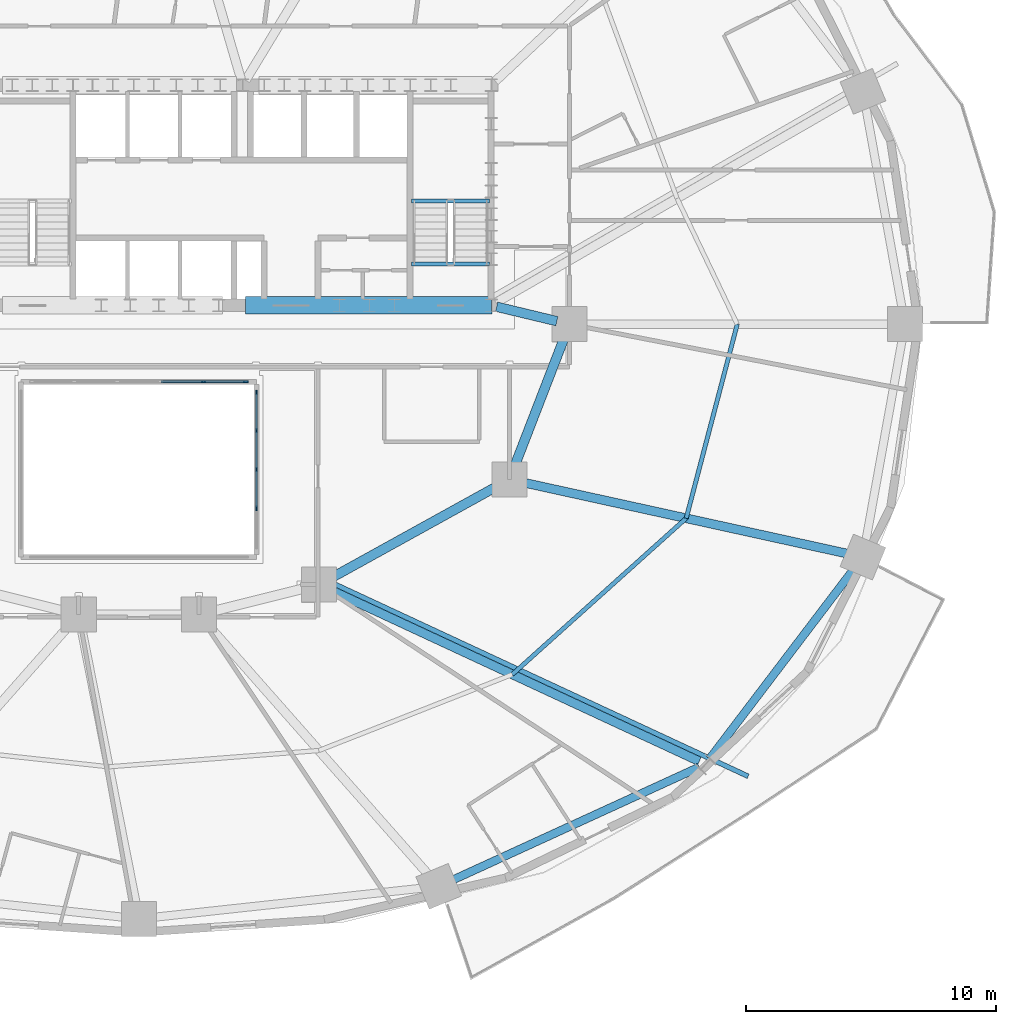
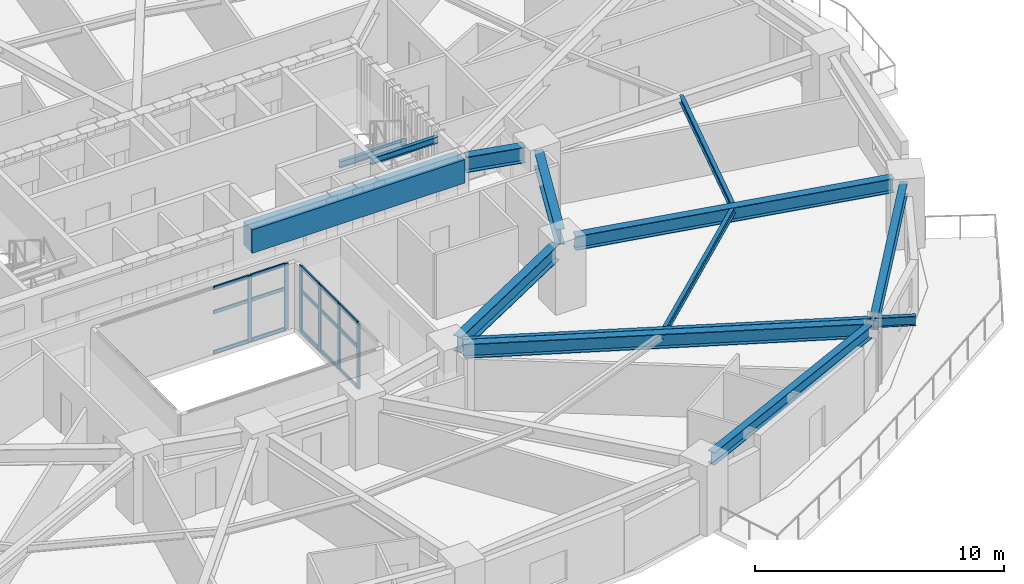
# One storey, part 6 of 17: 21 members, 13 beams, 2 elements without a shape of their own.
"""IFC4 building model written with IfcOpenShell, lengths in metres."""

from ifc_helpers import new_model, si_unit, direction, frame, origin, origin_2d, place, context, subcontext, project, spatial, rectangle, i_section, extrude, material, material_profile, profile_set, type_object, element, aggregate, save


model = new_model("IFC4")

# Units and contexts
model_context = context("Model", 3, precision=1e-05, world=origin(), true_north=direction((0.0, 1.0)))
body_context = subcontext(model_context, "Body", "Model", "MODEL_VIEW")
ifc_project = project(units=[si_unit("LENGTHUNIT", "METRE"), si_unit("AREAUNIT", "SQUARE_METRE"), si_unit("VOLUMEUNIT", "CUBIC_METRE"), si_unit("PLANEANGLEUNIT", "RADIAN"), si_unit("MASSUNIT", "GRAM", prefix="KILO")], contexts=[model_context])

# Site, building, storey
site_placement = place(None, origin())
site = spatial("IfcSite", under=ifc_project, at=site_placement, CompositionType="ELEMENT")
building_placement = place(site_placement, origin())
building = spatial("IfcBuilding", under=site, at=building_placement, Name="Haldorwick Loom Tower", CompositionType="ELEMENT")
storey_placement = place(building_placement, frame((0.0, 0.0, 58.5)))
storey = spatial("IfcBuildingStorey", under=building, at=storey_placement, Name="L15", CompositionType="ELEMENT", Elevation=58.5)

# Curtain wall, members
ifc_material_1 = material(Name="Thermally Broken Anodized Aluminium Curtain Wall Framing", Category="aluminium")
curtain_wall_type = type_object("IfcCurtainWallType", Name="ARC-CW-03", PredefinedType="NOTDEFINED", material=ifc_material_1)
curtain_wall_1_placement = place(storey_placement, origin())
curtain_wall_1 = element("IfcCurtainWall", 1, at=curtain_wall_1_placement, inside=storey, type_object=curtain_wall_type, Name="L15 Atrium Glazed Screen N", PredefinedType="NOTDEFINED")
ifc_material_profile_1 = material_profile(ifc_material_1, rectangle(XDim=0.06591796875, YDim=0.18505859375, at=origin_2d()), Name="ALU_MUL_66X185", Category="aluminium")
ifc_profile_set_1 = profile_set([ifc_material_profile_1], Name="Thermally Broken Anodized Aluminium Curtain Wall Framing")
member_type_1 = type_object("IfcMemberType", Name="ARC-CWM-03", PredefinedType="MULLION", material=ifc_profile_set_1)
member_1_placement = place(storey_placement, frame((38.580078125, 23.699951171875, 0.0), z_axis=(0.0, 0.0, 1.0), x_axis=(0.0, 1.0, 0.0)))
member_1 = element("IfcMember", 2, at=member_1_placement, type_object=member_type_1, Name="CW-03 mullion 5", PredefinedType="MULLION", context=body_context, shape_type="SweptSolid", body=[
    extrude(rectangle(XDim=0.06591796875, YDim=0.18505859375, at=origin_2d()), origin(), (0.0, 0.0, 1.0), 3.2099609375),
])
member_2_placement = place(storey_placement, frame((40.26708984375, 23.699951171875, 0.0), z_axis=(0.0, 0.0, 1.0), x_axis=(0.0, 1.0, 0.0)))
member_2 = element("IfcMember", 3, at=member_2_placement, type_object=member_type_1, Name="CW-03 mullion 6", PredefinedType="MULLION", context=body_context, shape_type="SweptSolid", body=[
    extrude(rectangle(XDim=0.06591796875, YDim=0.18505859375, at=origin_2d()), origin(), (0.0, 0.0, 1.0), 3.2099609375),
])

curtain_wall_2_placement = place(storey_placement, origin())
curtain_wall_2 = element("IfcCurtainWall", 4, at=curtain_wall_2_placement, inside=storey, type_object=curtain_wall_type, Name="L15 Atrium Glazed Screen E", PredefinedType="NOTDEFINED")
member_3_placement = place(storey_placement, frame((40.699951171875, 23.26708984375, 0.0), z_axis=(0.0, 0.0, 1.0), x_axis=(1.0, 0.0, 0.0)))
member_3 = element("IfcMember", 5, at=member_3_placement, type_object=member_type_1, Name="CW-03 mullion 1", PredefinedType="MULLION", context=body_context, shape_type="SweptSolid", body=[
    extrude(rectangle(XDim=0.06591796875, YDim=0.18505859375, at=origin_2d()), origin(), (0.0, 0.0, 1.0), 3.2099609375),
])
member_4_placement = place(storey_placement, frame((40.699951171875, 21.75, 0.0), z_axis=(0.0, 0.0, 1.0), x_axis=(1.0, 0.0, 0.0)))
member_4 = element("IfcMember", 6, at=member_4_placement, type_object=member_type_1, Name="CW-03 mullion 2", PredefinedType="MULLION", context=body_context, shape_type="SweptSolid", body=[
    extrude(rectangle(XDim=0.06591796875, YDim=0.18505859375, at=origin_2d()), origin(), (0.0, 0.0, 1.0), 3.2099609375),
])
member_5_placement = place(storey_placement, frame((40.699951171875, 20.199951171875, 0.0), z_axis=(0.0, 0.0, 1.0), x_axis=(1.0, 0.0, 0.0)))
member_5 = element("IfcMember", 7, at=member_5_placement, type_object=member_type_1, Name="CW-03 mullion 3", PredefinedType="MULLION", context=body_context, shape_type="SweptSolid", body=[
    extrude(rectangle(XDim=0.06591796875, YDim=0.18505859375, at=origin_2d()), origin(), (0.0, 0.0, 1.0), 3.2099609375),
])
member_6_placement = place(storey_placement, frame((40.699951171875, 18.64990234375, 0.0), z_axis=(0.0, 0.0, 1.0), x_axis=(1.0, 0.0, 0.0)))
member_6 = element("IfcMember", 8, at=member_6_placement, type_object=member_type_1, Name="CW-03 mullion 4", PredefinedType="MULLION", context=body_context, shape_type="SweptSolid", body=[
    extrude(rectangle(XDim=0.06591796875, YDim=0.18505859375, at=origin_2d()), origin(), (0.0, 0.0, 1.0), 3.2099609375),
])

# Member
ifc_material_profile_2 = material_profile(ifc_material_1, rectangle(XDim=0.06591796875, YDim=0.1650390625, at=origin_2d()), Name="ALU_TRN_66X165", Category="aluminium")
ifc_profile_set_2 = profile_set([ifc_material_profile_2], Name="Thermally Broken Anodized Aluminium Curtain Wall Framing")
member_type_2 = type_object("IfcMemberType", Name="ARC-CWT-03", PredefinedType="USERDEFINED", material=ifc_profile_set_2)
member_7_placement = place(storey_placement, frame((36.89306640625, 23.699951171875, 0.032958984375), z_axis=(1.0, 0.0, 0.0), x_axis=(0.0, 1.0, 0.0)))
member_7 = element("IfcMember", 9, at=member_7_placement, type_object=member_type_2, Name="CW-03 transom 4.1", ObjectType="TRANSOM", PredefinedType="USERDEFINED", context=body_context, shape_type="SweptSolid", body=[
    extrude(rectangle(XDim=0.06591796875, YDim=0.1650390625, at=origin_2d()), origin(), (0.0, 0.0, 1.0), 1.654052734375),
])

member_8_placement = place(storey_placement, frame((36.89306640625, 23.699951171875, 2.0), z_axis=(1.0, 0.0, 0.0), x_axis=(0.0, 1.0, 0.0)))
member_8 = element("IfcMember", 10, at=member_8_placement, type_object=member_type_2, Name="CW-03 transom 4.2", ObjectType="TRANSOM", PredefinedType="USERDEFINED", context=body_context, shape_type="SweptSolid", body=[
    extrude(rectangle(XDim=0.06591796875, YDim=0.1650390625, at=origin_2d()), origin(), (0.0, 0.0, 1.0), 1.654052734375),
])

member_9_placement = place(storey_placement, frame((36.89306640625, 23.699951171875, 3.177001953125), z_axis=(1.0, 0.0, 0.0), x_axis=(0.0, 1.0, 0.0)))
member_9 = element("IfcMember", 11, at=member_9_placement, type_object=member_type_2, Name="CW-03 transom 4.3", ObjectType="TRANSOM", PredefinedType="USERDEFINED", context=body_context, shape_type="SweptSolid", body=[
    extrude(rectangle(XDim=0.06591796875, YDim=0.1650390625, at=origin_2d()), origin(), (0.0, 0.0, 1.0), 1.654052734375),
])

member_10_placement = place(storey_placement, frame((38.613037109375, 23.699951171875, 0.032958984375), z_axis=(1.0, 0.0, 0.0), x_axis=(0.0, 1.0, 0.0)))
member_10 = element("IfcMember", 12, at=member_10_placement, type_object=member_type_2, Name="CW-03 transom 5.1", ObjectType="TRANSOM", PredefinedType="USERDEFINED", context=body_context, shape_type="SweptSolid", body=[
    extrude(rectangle(XDim=0.06591796875, YDim=0.1650390625, at=origin_2d()), origin(), (0.0, 0.0, 1.0), 1.620849609375),
])

member_11_placement = place(storey_placement, frame((38.613037109375, 23.699951171875, 2.0), z_axis=(1.0, 0.0, 0.0), x_axis=(0.0, 1.0, 0.0)))
member_11 = element("IfcMember", 13, at=member_11_placement, type_object=member_type_2, Name="CW-03 transom 5.2", ObjectType="TRANSOM", PredefinedType="USERDEFINED", context=body_context, shape_type="SweptSolid", body=[
    extrude(rectangle(XDim=0.06591796875, YDim=0.1650390625, at=origin_2d()), origin(), (0.0, 0.0, 1.0), 1.620849609375),
])

member_12_placement = place(storey_placement, frame((38.613037109375, 23.699951171875, 3.177001953125), z_axis=(1.0, 0.0, 0.0), x_axis=(0.0, 1.0, 0.0)))
member_12 = element("IfcMember", 14, at=member_12_placement, type_object=member_type_2, Name="CW-03 transom 5.3", ObjectType="TRANSOM", PredefinedType="USERDEFINED", context=body_context, shape_type="SweptSolid", body=[
    extrude(rectangle(XDim=0.06591796875, YDim=0.1650390625, at=origin_2d()), origin(), (0.0, 0.0, 1.0), 1.620849609375),
])

aggregate(curtain_wall_1, [member_1, member_2, member_7, member_8, member_9, member_10, member_11, member_12])

member_13_placement = place(storey_placement, frame((40.699951171875, 23.23388671875, 0.032958984375), z_axis=(0.0, -1.0, 0.0), x_axis=(1.0, 0.0, 0.0)))
member_13 = element("IfcMember", 15, at=member_13_placement, type_object=member_type_2, Name="CW-03 transom 1.1", ObjectType="TRANSOM", PredefinedType="USERDEFINED", context=body_context, shape_type="SweptSolid", body=[
    extrude(rectangle(XDim=0.06591796875, YDim=0.1650390625, at=origin_2d()), origin(), (0.0, 0.0, 1.0), 1.450927734375),
])

member_14_placement = place(storey_placement, frame((40.699951171875, 23.23388671875, 2.0), z_axis=(0.0, -1.0, 0.0), x_axis=(1.0, 0.0, 0.0)))
member_14 = element("IfcMember", 16, at=member_14_placement, type_object=member_type_2, Name="CW-03 transom 1.2", ObjectType="TRANSOM", PredefinedType="USERDEFINED", context=body_context, shape_type="SweptSolid", body=[
    extrude(rectangle(XDim=0.06591796875, YDim=0.1650390625, at=origin_2d()), origin(), (0.0, 0.0, 1.0), 1.450927734375),
])

member_15_placement = place(storey_placement, frame((40.699951171875, 23.23388671875, 3.177001953125), z_axis=(0.0, -1.0, 0.0), x_axis=(1.0, 0.0, 0.0)))
member_15 = element("IfcMember", 17, at=member_15_placement, type_object=member_type_2, Name="CW-03 transom 1.3", ObjectType="TRANSOM", PredefinedType="USERDEFINED", context=body_context, shape_type="SweptSolid", body=[
    extrude(rectangle(XDim=0.06591796875, YDim=0.1650390625, at=origin_2d()), origin(), (0.0, 0.0, 1.0), 1.450927734375),
])

member_16_placement = place(storey_placement, frame((40.699951171875, 21.717041015625, 0.032958984375), z_axis=(0.0, -1.0, 0.0), x_axis=(1.0, 0.0, 0.0)))
member_16 = element("IfcMember", 18, at=member_16_placement, type_object=member_type_2, Name="CW-03 transom 2.1", ObjectType="TRANSOM", PredefinedType="USERDEFINED", context=body_context, shape_type="SweptSolid", body=[
    extrude(rectangle(XDim=0.06591796875, YDim=0.1650390625, at=origin_2d()), origin(), (0.0, 0.0, 1.0), 1.484130859375),
])

member_17_placement = place(storey_placement, frame((40.699951171875, 21.717041015625, 2.0), z_axis=(0.0, -1.0, 0.0), x_axis=(1.0, 0.0, 0.0)))
member_17 = element("IfcMember", 19, at=member_17_placement, type_object=member_type_2, Name="CW-03 transom 2.2", ObjectType="TRANSOM", PredefinedType="USERDEFINED", context=body_context, shape_type="SweptSolid", body=[
    extrude(rectangle(XDim=0.06591796875, YDim=0.1650390625, at=origin_2d()), origin(), (0.0, 0.0, 1.0), 1.484130859375),
])

member_18_placement = place(storey_placement, frame((40.699951171875, 21.717041015625, 3.177001953125), z_axis=(0.0, -1.0, 0.0), x_axis=(1.0, 0.0, 0.0)))
member_18 = element("IfcMember", 20, at=member_18_placement, type_object=member_type_2, Name="CW-03 transom 2.3", ObjectType="TRANSOM", PredefinedType="USERDEFINED", context=body_context, shape_type="SweptSolid", body=[
    extrude(rectangle(XDim=0.06591796875, YDim=0.1650390625, at=origin_2d()), origin(), (0.0, 0.0, 1.0), 1.484130859375),
])

member_19_placement = place(storey_placement, frame((40.699951171875, 20.1669921875, 0.032958984375), z_axis=(0.0, -1.0, 0.0), x_axis=(1.0, 0.0, 0.0)))
member_19 = element("IfcMember", 21, at=member_19_placement, type_object=member_type_2, Name="CW-03 transom 3.1", ObjectType="TRANSOM", PredefinedType="USERDEFINED", context=body_context, shape_type="SweptSolid", body=[
    extrude(rectangle(XDim=0.06591796875, YDim=0.1650390625, at=origin_2d()), origin(), (0.0, 0.0, 1.0), 1.48388671875),
])

member_20_placement = place(storey_placement, frame((40.699951171875, 20.1669921875, 2.0), z_axis=(0.0, -1.0, 0.0), x_axis=(1.0, 0.0, 0.0)))
member_20 = element("IfcMember", 22, at=member_20_placement, type_object=member_type_2, Name="CW-03 transom 3.2", ObjectType="TRANSOM", PredefinedType="USERDEFINED", context=body_context, shape_type="SweptSolid", body=[
    extrude(rectangle(XDim=0.06591796875, YDim=0.1650390625, at=origin_2d()), origin(), (0.0, 0.0, 1.0), 1.48388671875),
])

member_21_placement = place(storey_placement, frame((40.699951171875, 20.1669921875, 3.177001953125), z_axis=(0.0, -1.0, 0.0), x_axis=(1.0, 0.0, 0.0)))
member_21 = element("IfcMember", 23, at=member_21_placement, type_object=member_type_2, Name="CW-03 transom 3.3", ObjectType="TRANSOM", PredefinedType="USERDEFINED", context=body_context, shape_type="SweptSolid", body=[
    extrude(rectangle(XDim=0.06591796875, YDim=0.1650390625, at=origin_2d()), origin(), (0.0, 0.0, 1.0), 1.48388671875),
])

aggregate(curtain_wall_2, [member_3, member_4, member_5, member_6, member_13, member_14, member_15, member_16, member_17, member_18, member_19, member_20, member_21])

# Beams
ifc_material_2 = material(Name="Steel CSA G40.21 350W", Category="steel")
ifc_material_profile_3 = material_profile(ifc_material_2, i_section(OverallWidth=0.193115234375, OverallDepth=0.466064453125, WebThickness=0.011474609375, FlangeThickness=0.01904296875, at=origin_2d()), Name="W460X97", Category="steel")
ifc_profile_set_3 = profile_set([ifc_material_profile_3], Name="Steel CSA G40.21 350W")
beam_type_1 = type_object("IfcBeamType", Name="STR-BM-BAL460", PredefinedType="BEAM", material=ifc_profile_set_3)
beam_1_placement = place(storey_placement, frame((43.78955078125, 15.634765625, 2.97705078125), z_axis=(0.906835669686, -0.42148436292, 0.0), x_axis=(0.42148436292, 0.906835669686, 0.0)))
element("IfcBeam", 24, at=beam_1_placement, inside=storey, type_object=beam_type_1, Name="L15 Continuous Back-Spanned Balcony Beam 1", PredefinedType="BEAM", context=body_context, shape_type="SweptSolid", body=[
    extrude(i_section(OverallWidth=0.193115234375, OverallDepth=0.466064453125, WebThickness=0.011474609375, FlangeThickness=0.01904296875, at=origin_2d()), origin(), (0.0, 0.0, 1.0), 18.245361328125),
])
ifc_material_3 = material(Name="Concrete C60 (60 MPa)", Category="concrete")
ifc_material_profile_4 = material_profile(ifc_material_3, rectangle(XDim=0.699951171875, YDim=1.14990234375, at=origin_2d()), Name="RC700X1150", Category="concrete")
ifc_profile_set_4 = profile_set([ifc_material_profile_4], Name="Concrete C60 (60 MPa)")
beam_type_2 = type_object("IfcBeamType", Name="STR-BM-CB1150", PredefinedType="LINTEL", material=ifc_profile_set_4)
beam_2_placement = place(storey_placement, frame((40.25, 26.75, 2.635009765625), z_axis=(1.0, 0.0, 0.0), x_axis=(0.0, 1.0, 0.0)))
element("IfcBeam", 25, at=beam_2_placement, inside=storey, type_object=beam_type_2, Name="L15 Core Coupling Beam CB-S3", PredefinedType="LINTEL", context=body_context, shape_type="SweptSolid", body=[
    extrude(rectangle(XDim=0.699951171875, YDim=1.14990234375, at=origin_2d()), origin(), (0.0, 0.0, 1.0), 9.85009765625),
])
ifc_material_profile_5 = material_profile(ifc_material_2, i_section(OverallWidth=0.172119140625, OverallDepth=0.35791015625, WebThickness=0.0078125, FlangeThickness=0.01318359375, at=origin_2d()), Name="W360X57", Category="steel")
ifc_profile_set_5 = profile_set([ifc_material_profile_5], Name="Steel CSA G40.21 350W")
beam_type_3 = type_object("IfcBeamType", Name="STR-BM-J360", PredefinedType="JOIST", material=ifc_profile_set_5)
beam_3_placement = place(storey_placement, frame((50.9150390625, 12.01416015625, 3.031005859375), z_axis=(0.743981830112, 0.668199847698, 0.0), x_axis=(-0.668199847698, 0.743981830112, 0.0)))
element("IfcBeam", 26, at=beam_3_placement, inside=storey, type_object=beam_type_3, Name="L15 Mid-Bay Secondary Joist 15", PredefinedType="JOIST", context=body_context, shape_type="SweptSolid", body=[
    extrude(i_section(OverallWidth=0.172119140625, OverallDepth=0.35791015625, WebThickness=0.0078125, FlangeThickness=0.01318359375, at=origin_2d()), origin(), (0.0, 0.0, 1.0), 9.3330078125),
])
beam_4_placement = place(storey_placement, frame((57.858642578125, 18.25048828125, 3.031005859375), z_axis=(0.2544888003, 0.967075721193, 0.0), x_axis=(-0.967075721193, 0.2544888003, 0.0)))
element("IfcBeam", 27, at=beam_4_placement, inside=storey, type_object=beam_type_3, Name="L15 Mid-Bay Secondary Joist 16", PredefinedType="JOIST", context=body_context, shape_type="SweptSolid", body=[
    extrude(i_section(OverallWidth=0.172119140625, OverallDepth=0.35791015625, WebThickness=0.0078125, FlangeThickness=0.01318359375, at=origin_2d()), origin(), (0.0, 0.0, 1.0), 8.013427734375),
])
ifc_material_profile_6 = material_profile(ifc_material_2, i_section(OverallWidth=0.324951171875, OverallDepth=0.615966796875, WebThickness=0.013916015625, FlangeThickness=0.021484375, at=origin_2d()), Name="W610X174", Category="steel")
ifc_profile_set_6 = profile_set([ifc_material_profile_6], Name="Steel CSA G40.21 350W")
beam_type_4 = type_object("IfcBeamType", Name="STR-BM-SP610", PredefinedType="SPANDREL", material=ifc_profile_set_6)
beam_5_placement = place(storey_placement, frame((48.45068359375, 3.76611328125, 2.902099609375), z_axis=(0.909173805321, 0.416416848504, 0.0), x_axis=(-0.416416848504, 0.909173805321, 0.0)))
element("IfcBeam", 28, at=beam_5_placement, inside=storey, type_object=beam_type_4, Name="L15 Perimeter Spandrel 14", PredefinedType="SPANDREL", context=body_context, shape_type="SweptSolid", body=[
    extrude(i_section(OverallWidth=0.324951171875, OverallDepth=0.615966796875, WebThickness=0.013916015625, FlangeThickness=0.021484375, at=origin_2d()), origin(), (0.0, 0.0, 1.0), 10.92138671875),
])
beam_6_placement = place(storey_placement, frame((58.796630859375, 8.647216796875, 2.902099609375), z_axis=(0.605084557744, 0.796161213562, 0.0), x_axis=(-0.796161213562, 0.605084557744, 0.0)))
element("IfcBeam", 29, at=beam_6_placement, inside=storey, type_object=beam_type_4, Name="L15 Perimeter Spandrel 15", PredefinedType="SPANDREL", context=body_context, shape_type="SweptSolid", body=[
    extrude(i_section(OverallWidth=0.324951171875, OverallDepth=0.615966796875, WebThickness=0.013916015625, FlangeThickness=0.021484375, at=origin_2d()), origin(), (0.0, 0.0, 1.0), 9.595703125),
])
ifc_material_profile_7 = material_profile(ifc_material_2, i_section(OverallWidth=0.166015625, OverallDepth=0.31298828125, WebThickness=0.006591796875, FlangeThickness=0.01123046875, at=origin_2d()), Name="W310X45", Category="steel")
ifc_profile_set_7 = profile_set([ifc_material_profile_7], Name="Steel CSA G40.21 350W")
beam_type_5 = type_object("IfcBeamType", Name="STR-BM-STRM", PredefinedType="BEAM", material=ifc_profile_set_7)
for number, where, z_axis, x_axis, name in (
    (30, (46.889892578125, 28.39990234375, 3.053466796875), (1.0, 0.0, 0.0), (0.0, 1.0, 0.0), "L15 Stair ST-02 Landing Edge Trimmer"),
    (31, (46.889892578125, 30.919921875, 1.368408203125), (1.0, 0.0, 0.0), (0.0, 1.0, 0.0), "L15 Stair ST-02 Half-Landing Trimmer 1"),
):
    element("IfcBeam", number, at=place(storey_placement, frame(where, z_axis=z_axis, x_axis=x_axis)), inside=storey, type_object=beam_type_5, Name=name, PredefinedType="BEAM", context=body_context, shape_type="SweptSolid", body=[
        extrude(i_section(OverallWidth=0.166015625, OverallDepth=0.31298828125, WebThickness=0.006591796875, FlangeThickness=0.01123046875, at=origin_2d()), origin(), (0.0, 0.0, 1.0), 3.1201171875),
    ])
ifc_material_profile_8 = material_profile(ifc_material_2, i_section(OverallWidth=0.35498046875, OverallDepth=0.695068359375, WebThickness=0.015380859375, FlangeThickness=0.02490234375, at=origin_2d()), Name="W690X217", Category="steel")
ifc_profile_set_8 = profile_set([ifc_material_profile_8], Name="Steel CSA G40.21 350W")
beam_type_6 = type_object("IfcBeamType", Name="STR-BM-W690", PredefinedType="BEAM", material=ifc_profile_set_8)
beam_7_placement = place(storey_placement, frame((43.671630859375, 15.380859375, 2.862548828125), z_axis=(0.90683498532, -0.421485835349, 0.0), x_axis=(0.421485835349, 0.90683498532, 0.0)))
element("IfcBeam", 32, at=beam_7_placement, inside=storey, type_object=beam_type_6, Name="L15 Radial Floor Girder 15", PredefinedType="BEAM", context=body_context, shape_type="SweptSolid", body=[
    extrude(i_section(OverallWidth=0.35498046875, OverallDepth=0.695068359375, WebThickness=0.015380859375, FlangeThickness=0.02490234375, at=origin_2d()), origin(), (0.0, 0.0, 1.0), 16.220458984375),
])
beam_8_placement = place(storey_placement, frame((51.307861328125, 19.6884765625, 2.862548828125), z_axis=(0.976740159434, -0.214426353203, 0.0), x_axis=(0.214426353203, 0.976740159434, 0.0)))
element("IfcBeam", 33, at=beam_8_placement, inside=storey, type_object=beam_type_6, Name="L15 Radial Floor Girder 16", PredefinedType="BEAM", context=body_context, shape_type="SweptSolid", body=[
    extrude(i_section(OverallWidth=0.35498046875, OverallDepth=0.695068359375, WebThickness=0.015380859375, FlangeThickness=0.02490234375, at=origin_2d()), origin(), (0.0, 0.0, 1.0), 13.41357421875),
])
ifc_material_profile_9 = material_profile(ifc_material_2, i_section(OverallWidth=0.381103515625, OverallDepth=0.77294921875, WebThickness=0.0166015625, FlangeThickness=0.027587890625, at=origin_2d()), Name="W760X257", Category="steel")
ifc_profile_set_9 = profile_set([ifc_material_profile_9], Name="Steel CSA G40.21 350W")
beam_type_7 = type_object("IfcBeamType", Name="STR-BM-W760", PredefinedType="BEAM", material=ifc_profile_set_9)
beam_9_placement = place(storey_placement, frame((50.288818359375, 26.697509765625, 2.823486328125), z_axis=(0.97247055837, -0.233025777764, 0.0), x_axis=(0.233025777764, 0.97247055837, 0.0)))
element("IfcBeam", 34, at=beam_9_placement, inside=storey, type_object=beam_type_7, Name="L15 Inner Ring Girder 1", PredefinedType="BEAM", context=body_context, shape_type="SweptSolid", body=[
    extrude(i_section(OverallWidth=0.381103515625, OverallDepth=0.77294921875, WebThickness=0.0166015625, FlangeThickness=0.027587890625, at=origin_2d()), origin(), (0.0, 0.0, 1.0), 2.4736328125),
])
beam_10_placement = place(storey_placement, frame((53.01220703125, 25.51513671875, 2.823486328125), z_axis=(-0.360964792353, -0.93257944363, 0.0), x_axis=(0.93257944363, -0.360964792353, 0.0)))
element("IfcBeam", 35, at=beam_10_placement, inside=storey, type_object=beam_type_7, Name="L15 Inner Ring Girder 2", PredefinedType="BEAM", context=body_context, shape_type="SweptSolid", body=[
    extrude(i_section(OverallWidth=0.381103515625, OverallDepth=0.77294921875, WebThickness=0.0166015625, FlangeThickness=0.027587890625, at=origin_2d()), origin(), (0.0, 0.0, 1.0), 5.6083984375),
])
beam_11_placement = place(storey_placement, frame((50.344970703125, 19.548583984375, 2.823486328125), z_axis=(-0.875244382146, -0.483680960471, 0.0), x_axis=(0.483680960471, -0.875244382146, 0.0)))
element("IfcBeam", 36, at=beam_11_placement, inside=storey, type_object=beam_type_7, Name="L15 Inner Ring Girder 3", PredefinedType="BEAM", context=body_context, shape_type="SweptSolid", body=[
    extrude(i_section(OverallWidth=0.381103515625, OverallDepth=0.77294921875, WebThickness=0.0166015625, FlangeThickness=0.027587890625, at=origin_2d()), origin(), (0.0, 0.0, 1.0), 7.6435546875),
])

save(model, "model.ifc")
